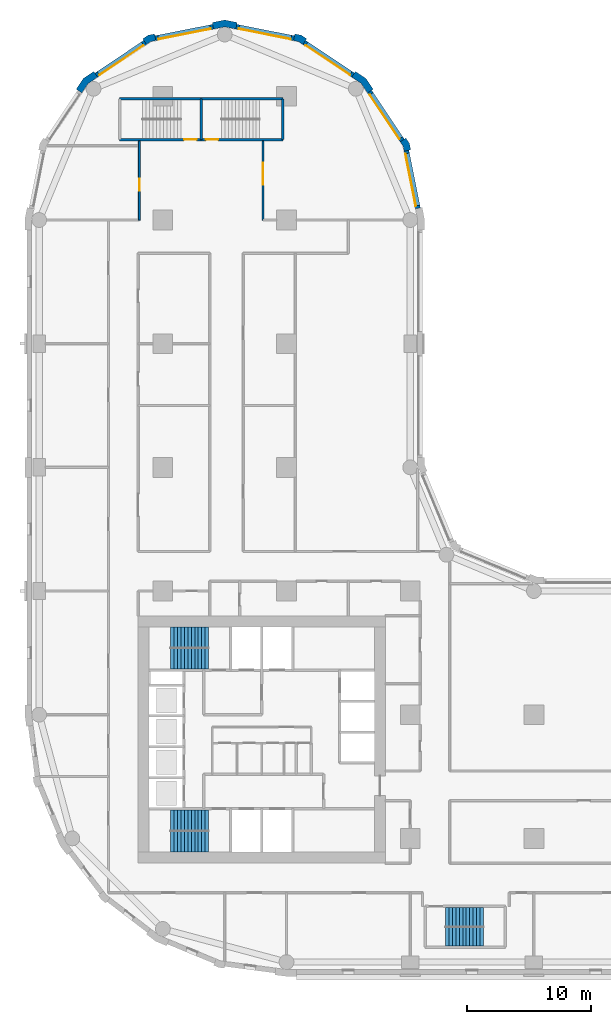
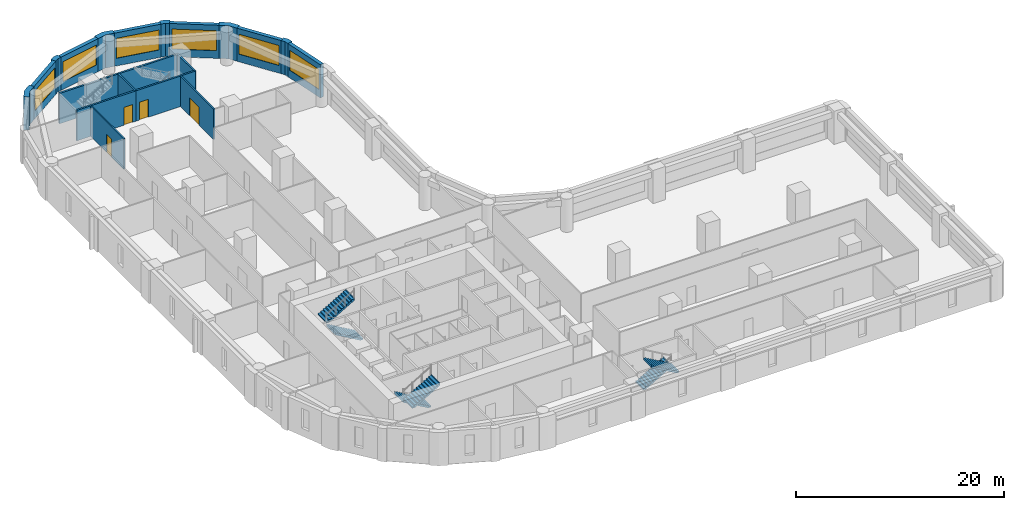
# One storey, part 7 of 10: 20 walls, 6 stair flights, 6 windows, 4 doors, 10 openings, 3 elements without a shape of their own.
"""IFC4 building model written with IfcOpenShell, lengths in metres."""

import ifcopenshell
import ifcopenshell.guid

model = None  # the IFC model being written
_history = None  # IfcOwnerHistory: only IFC2X3 demands one
_inside = {}  # id of a spatial element -> (the spatial element, [elements in it])
_under = {}  # id of a project, library or spatial element -> (it, [spatial elements below it])
_declared = {}  # id of a project -> (the project, [libraries it declares])
_typed = {}  # id of a type object -> (the type object, [elements of that type])
_made_of = {}  # id of a material, layer set ... -> (it, [elements and type objects made of it])


def new_model(schema):
    """Start an empty IFC model of exactly this schema.

    Asked for "IFC4X3", IfcOpenShell would pick the latest addendum, in which some entities
    have other attributes; the version numbers below select the first issue.
    IFC2X3 requires an IfcOwnerHistory on every rooted entity: one is made here for all.
    """
    global model, _history
    if schema == "IFC4X3":
        model = ifcopenshell.file(schema_version=(4, 3, 0, 0))
    else:
        model = ifcopenshell.file(schema=schema)
    _inside.clear()
    _under.clear()
    _declared.clear()
    _typed.clear()
    _made_of.clear()
    _history = None
    if model.schema == "IFC2X3":
        org = make("IfcOrganization", Name="unknown")
        user = make(
            "IfcPersonAndOrganization",
            ThePerson=make("IfcPerson", FamilyName="unknown"),
            TheOrganization=org,
        )
        app = make(
            "IfcApplication",
            ApplicationDeveloper=org,
            Version="unknown",
            ApplicationFullName="unknown",
            ApplicationIdentifier="unknown",
        )
        _history = make(
            "IfcOwnerHistory",
            OwningUser=user,
            OwningApplication=app,
            ChangeAction="ADDED",
            CreationDate=0,
        )
    return model


def make(cls, **values):
    """One entity of the class cls with the attributes given. An attribute that is None is left unset."""
    return model.create_entity(
        cls, **{name: value for name, value in values.items() if value is not None}
    )


def rooted(cls, **values):
    """An entity with a GlobalId (a new one), such as an element, a storey or a relation."""
    return make(cls, GlobalId=ifcopenshell.guid.new(), OwnerHistory=_history, **values)


def si_unit(unit_type, name, prefix=None):
    """IfcSIUnit, for example si_unit("LENGTHUNIT", "METRE", prefix="MILLI")."""
    return make("IfcSIUnit", UnitType=unit_type, Prefix=prefix, Name=name)


def assignment(units):
    """IfcUnitAssignment: the units of a project."""
    return None if units is None else make("IfcUnitAssignment", Units=units)


def point(xyz):
    """IfcCartesianPoint."""
    return None if xyz is None else make("IfcCartesianPoint", Coordinates=xyz)


def direction(xyz):
    """IfcDirection."""
    return None if xyz is None else make("IfcDirection", DirectionRatios=xyz)


def frame(location, z_axis=None, x_axis=None):
    """IfcAxis2Placement3D, a coordinate frame: its origin and axes. An axis left out is left unset."""
    return make(
        "IfcAxis2Placement3D",
        Location=point(location),
        Axis=direction(z_axis),
        RefDirection=direction(x_axis),
    )


def frame_2d(location, x_axis=None):
    """IfcAxis2Placement2D, a coordinate frame in the plane: its origin and x axis."""
    return make(
        "IfcAxis2Placement2D", Location=point(location), RefDirection=direction(x_axis)
    )


def origin():
    """The frame at (0, 0, 0) with its axes left unset."""
    return frame((0.0, 0.0, 0.0))


def place(relative_to, where):
    """IfcLocalPlacement: puts the frame where relative to a parent placement (None: the world)."""
    return make(
        "IfcLocalPlacement", PlacementRelTo=relative_to, RelativePlacement=where
    )


def context(
    kind, dimensions, precision=None, world=None, true_north=None, identifier=None
):
    """IfcGeometricRepresentationContext, for example the 3D "Model" context."""
    return make(
        "IfcGeometricRepresentationContext",
        ContextIdentifier=identifier,
        ContextType=kind,
        CoordinateSpaceDimension=dimensions,
        Precision=precision,
        WorldCoordinateSystem=world,
        TrueNorth=true_north,
    )


def subcontext(parent, identifier, kind, view, scale=None):
    """IfcGeometricRepresentationSubContext, for example "Body" below "Model"."""
    return make(
        "IfcGeometricRepresentationSubContext",
        ContextIdentifier=identifier,
        ContextType=kind,
        ParentContext=parent,
        TargetScale=scale,
        TargetView=view,
    )


def project(units=None, contexts=None):
    """IfcProject with its units and contexts."""
    return rooted(
        "IfcProject",
        Name="project",
        RepresentationContexts=contexts,
        UnitsInContext=assignment(units),
    )


def spatial(cls, under=None, at=None, **own):
    """A site, building, storey or space (cls), placed at a placement, below another one or the project."""
    s = rooted(cls, ObjectPlacement=at, **own)
    if under is not None:
        _under.setdefault(under.id(), (under, []))[1].append(s)
    return s


def polyline(points):
    """IfcPolyline through the points."""
    return make("IfcPolyline", Points=[point(p) for p in points])


def profile(cls, at=None, kind="AREA", **sizes):
    """A parametric profile (cls). Its sizes go by their IFC names, for example OverallWidth=200.0."""
    return make(cls, ProfileType=kind, Position=at, **sizes)


def rectangle(**sizes):
    """IfcRectangleProfileDef."""
    return profile("IfcRectangleProfileDef", **sizes)


def outline(outer, holes=None, kind="AREA"):
    """IfcArbitraryClosedProfileDef: a profile drawn as a closed curve; with holes, ...WithVoids."""
    if holes is None:
        return make("IfcArbitraryClosedProfileDef", ProfileType=kind, OuterCurve=outer)
    return make(
        "IfcArbitraryProfileDefWithVoids",
        ProfileType=kind,
        OuterCurve=outer,
        InnerCurves=holes,
    )


def extrude(swept, where, along, depth):
    """IfcExtrudedAreaSolid: the profile swept, set in the frame where, extruded along a direction by depth."""
    return make(
        "IfcExtrudedAreaSolid",
        SweptArea=swept,
        Position=where,
        ExtrudedDirection=direction(along),
        Depth=depth,
    )


def shape(context_of_items, identifier, shape_type, items):
    """IfcShapeRepresentation: the items that make up one representation, for example the "Body"."""
    return make(
        "IfcShapeRepresentation",
        ContextOfItems=context_of_items,
        RepresentationIdentifier=identifier,
        RepresentationType=shape_type,
        Items=items,
    )


def material(Name=None, Category=None):
    """IfcMaterial."""
    return make("IfcMaterial", Name=Name, Category=Category)


def layer(
    of_material, thickness, ventilated=None, Name=None, Category=None, Priority=None
):
    """IfcMaterialLayer: one layer of a wall or slab, of a material (None: an air gap)."""
    return make(
        "IfcMaterialLayer",
        Material=of_material,
        LayerThickness=thickness,
        IsVentilated=ventilated,
        Name=Name,
        Category=Category,
        Priority=Priority,
    )


def layer_set(layers, Name=None):
    """IfcMaterialLayerSet."""
    return make("IfcMaterialLayerSet", MaterialLayers=layers, LayerSetName=Name)


def made_of(thing, what):
    """Note that an element or type object is made of a material, layer set ...; save() writes the relation."""
    if what is not None:
        _made_of.setdefault(what.id(), (what, []))[1].append(thing)
    return thing


def type_object(cls, material=None, **own):
    """A type object (cls), such as IfcWallType, which elements share."""
    return made_of(rooted(cls, **own), material)


def element(
    cls,
    number,
    at=None,
    inside=None,
    cuts=None,
    type_object=None,
    material=None,
    context=None,
    identifier="Body",
    shape_type=None,
    held_by="IfcProductDefinitionShape",
    body=None,
    shapes=None,
    **own,
):
    """One element of the class cls, such as IfcWall. Its Tag is "e" and its number.

    at: its placement. inside: the storey or other place that contains it. cuts: it is an
    opening in that element (IfcRelVoidsElement). A single representation is given by context,
    identifier, shape_type and body (its items); several are given by shapes. held_by: the class
    of the entity that holds the representations. save() writes the other relations.
    """
    e = rooted(cls, Tag="e%d" % number, ObjectPlacement=at, **own)
    if body is not None:
        shapes = [shape(context, identifier, shape_type, body)]
    if shapes is not None:
        e.Representation = make(held_by, Representations=shapes)
    if inside is not None:
        _inside.setdefault(inside.id(), (inside, []))[1].append(e)
    if cuts is not None:
        rooted(
            "IfcRelVoidsElement", RelatingBuildingElement=cuts, RelatedOpeningElement=e
        )
    if type_object is not None:
        _typed.setdefault(type_object.id(), (type_object, []))[1].append(e)
    return made_of(e, material)


def fill(opening, filler):
    """IfcRelFillsElement: the door or window that sits in an opening."""
    return rooted(
        "IfcRelFillsElement",
        RelatingOpeningElement=opening,
        RelatedBuildingElement=filler,
    )


def aggregate(whole, parts):
    """IfcRelAggregates: a whole, such as a stair, and the parts it consists of."""
    return rooted("IfcRelAggregates", RelatingObject=whole, RelatedObjects=parts)


def save(model, path):
    """Write the relations noted so far, then the file.

    IfcRelAggregates (storeys below a building ...), IfcRelContainedInSpatialStructure (elements
    in a storey), IfcRelDefinesByType, IfcRelAssociatesMaterial and IfcRelDeclares: one each for
    every whole, place, type object, material and project.
    """
    for whole, parts in _under.values():
        aggregate(whole, parts)
    for where, things in _inside.values():
        rooted(
            "IfcRelContainedInSpatialStructure",
            RelatedElements=things,
            RelatingStructure=where,
        )
    for kind, things in _typed.values():
        rooted("IfcRelDefinesByType", RelatedObjects=things, RelatingType=kind)
    for what, things in _made_of.values():
        rooted("IfcRelAssociatesMaterial", RelatedObjects=things, RelatingMaterial=what)
    for by, libraries in _declared.values():
        rooted("IfcRelDeclares", RelatingContext=by, RelatedDefinitions=libraries)
    model.write(path)


model = new_model("IFC4")

# Units and contexts
model_context = context("Model", 3, precision=1e-05, world=origin(), true_north=direction((0.0, 1.0)))
body_context = subcontext(model_context, "Body", "Model", "MODEL_VIEW")
ifc_project = project(units=[si_unit("LENGTHUNIT", "METRE"), si_unit("AREAUNIT", "SQUARE_METRE"), si_unit("VOLUMEUNIT", "CUBIC_METRE"), si_unit("PLANEANGLEUNIT", "RADIAN"), si_unit("MASSUNIT", "GRAM", prefix="KILO")], contexts=[model_context])

# Site, building, storey
site_placement = place(None, origin())
site = spatial("IfcSite", under=ifc_project, at=site_placement, CompositionType="ELEMENT")
building_placement = place(site_placement, origin())
building = spatial("IfcBuilding", under=site, at=building_placement, Name="Qaws Garden Tower", CompositionType="ELEMENT")
storey_placement = place(building_placement, frame((0.0, 0.0, 101.699951171875)))
storey = spatial("IfcBuildingStorey", under=building, at=storey_placement, Name="L25", CompositionType="ELEMENT", Elevation=101.699951171875)

# Wall, opening, window
ifc_material_1 = material(Name="Clay facing brick masonry", Category="masonry")
ifc_layer_1 = layer(ifc_material_1, 0.39990234375)
ifc_layer_set_1 = layer_set([ifc_layer_1], Name="Clay facing brick masonry")
wall_type_1 = type_object("IfcWallType", Name="Brick infill wall 400", PredefinedType="SOLIDWALL", material=ifc_layer_set_1)
wall_1_placement = place(storey_placement, frame((30.628662109375, 60.940673828125, 0.0), z_axis=(0.0, 0.0, 1.0), x_axis=(-0.195098533057, 0.98078364709, 0.0)))
wall_1 = element("IfcWall", 1, at=wall_1_placement, inside=storey, type_object=wall_type_1, Name="E-L25-infill-15", PredefinedType="SOLIDWALL", context=body_context, shape_type="SweptSolid", body=[
    extrude(rectangle(XDim=4.752685546875, YDim=0.39990234375, at=frame_2d((2.37646484375, 0.0))), origin(), (0.0, 0.0, 1.0), 3.900146484375),
])
opening_1_placement = place(wall_1_placement, frame((0.226318359375, 0.0, 0.89990234375)))
opening_1 = element("IfcOpeningElement", 2, at=opening_1_placement, cuts=wall_1, Name="Opening W06", PredefinedType="OPENING", context=body_context, shape_type="SweptSolid", body=[
    extrude(rectangle(XDim=4.300048828125, YDim=2.35009765625, at=frame_2d((2.14990234375, 1.175048828125))), frame((0.0, 0.2099609375, 0.0), z_axis=(0.0, -1.0, 0.0), x_axis=(1.0, 0.0, 0.0)), (0.0, 0.0, 1.0), 0.419921875),
])
ifc_material_2 = material(Name="Aluminium framed window, clear glazing", Category="aluminium")
window_type = type_object("IfcWindowType", Name="Ribbon window 4300 x 2350", PartitioningType="DOUBLE_PANEL_VERTICAL", PredefinedType="WINDOW", material=ifc_material_2)
window_1_placement = place(opening_1_placement, origin())
window_1 = element("IfcWindow", 3, at=window_1_placement, inside=storey, type_object=window_type, Name="E-L25-window-15-0", OverallHeight=2.35009765625, OverallWidth=4.300048828125, PartitioningType="SINGLE_PANEL", PredefinedType="WINDOW", context=body_context, shape_type="SweptSolid", body=[
    extrude(rectangle(XDim=4.300048828125, YDim=2.35009765625, at=frame_2d((2.14990234375, 1.175048828125))), frame((0.0, 0.159912109375, 0.0), z_axis=(0.0, -1.0, 0.0), x_axis=(1.0, 0.0, 0.0)), (0.0, 0.0, 1.0), 0.06005859375),
])
fill(opening_1, window_1)

wall_2_placement = place(storey_placement, frame((29.356689453125, 66.43408203125, 0.0), z_axis=(0.0, 0.0, 1.0), x_axis=(-0.555541552266, 0.831488775454, 0.0)))
wall_2 = element("IfcWall", 4, at=wall_2_placement, inside=storey, type_object=wall_type_1, Name="E-L25-infill-16", PredefinedType="SOLIDWALL", context=body_context, shape_type="SweptSolid", body=[
    extrude(rectangle(XDim=4.752685546875, YDim=0.39990234375, at=frame_2d((2.37646484375, 0.0))), origin(), (0.0, 0.0, 1.0), 3.900146484375),
])
opening_2_placement = place(wall_2_placement, frame((0.226318359375, 0.0, 0.89990234375)))
opening_2 = element("IfcOpeningElement", 5, at=opening_2_placement, cuts=wall_2, Name="Opening W06", PredefinedType="OPENING", context=body_context, shape_type="SweptSolid", body=[
    extrude(rectangle(XDim=4.300048828125, YDim=2.35009765625, at=frame_2d((2.14990234375, 1.175048828125))), frame((0.0, 0.2099609375, 0.0), z_axis=(0.0, -1.0, 0.0), x_axis=(1.0, 0.0, 0.0)), (0.0, 0.0, 1.0), 0.419921875),
])
window_2_placement = place(opening_2_placement, origin())
window_2 = element("IfcWindow", 6, at=window_2_placement, inside=storey, type_object=window_type, Name="E-L25-window-16-0", OverallHeight=2.35009765625, OverallWidth=4.300048828125, PartitioningType="SINGLE_PANEL", PredefinedType="WINDOW", context=body_context, shape_type="SweptSolid", body=[
    extrude(rectangle(XDim=4.300048828125, YDim=2.35009765625, at=frame_2d((2.14990234375, 1.175048828125))), frame((0.0, 0.159912109375, 0.0), z_axis=(0.0, -1.0, 0.0), x_axis=(1.0, 0.0, 0.0)), (0.0, 0.0, 1.0), 0.06005859375),
])
fill(opening_2, window_2)

wall_3_placement = place(storey_placement, frame((25.385986328125, 71.71630859375, 0.0), z_axis=(0.0, 0.0, 1.0), x_axis=(-0.831488775454, 0.555541552266, 0.0)))
wall_3 = element("IfcWall", 7, at=wall_3_placement, inside=storey, type_object=wall_type_1, Name="E-L25-infill-17", PredefinedType="SOLIDWALL", context=body_context, shape_type="SweptSolid", body=[
    extrude(rectangle(XDim=4.752685546875, YDim=0.39990234375, at=frame_2d((2.37646484375, 0.0))), origin(), (0.0, 0.0, 1.0), 3.900146484375),
])
opening_3_placement = place(wall_3_placement, frame((0.226318359375, 0.0, 0.89990234375)))
opening_3 = element("IfcOpeningElement", 8, at=opening_3_placement, cuts=wall_3, Name="Opening W06", PredefinedType="OPENING", context=body_context, shape_type="SweptSolid", body=[
    extrude(rectangle(XDim=4.300048828125, YDim=2.35009765625, at=frame_2d((2.14990234375, 1.175048828125))), frame((0.0, 0.2099609375, 0.0), z_axis=(0.0, -1.0, 0.0), x_axis=(1.0, 0.0, 0.0)), (0.0, 0.0, 1.0), 0.419921875),
])
window_3_placement = place(opening_3_placement, origin())
window_3 = element("IfcWindow", 9, at=window_3_placement, inside=storey, type_object=window_type, Name="E-L25-window-17-0", OverallHeight=2.35009765625, OverallWidth=4.300048828125, PartitioningType="SINGLE_PANEL", PredefinedType="WINDOW", context=body_context, shape_type="SweptSolid", body=[
    extrude(rectangle(XDim=4.300048828125, YDim=2.35009765625, at=frame_2d((2.14990234375, 1.175048828125))), frame((0.0, 0.159912109375, 0.0), z_axis=(0.0, -1.0, 0.0), x_axis=(1.0, 0.0, 0.0)), (0.0, 0.0, 1.0), 0.06005859375),
])
fill(opening_3, window_3)

wall_4_placement = place(storey_placement, frame((20.60205078125, 74.701416015625, 0.0), z_axis=(0.0, 0.0, 1.0), x_axis=(-0.98078364709, 0.195098533057, 0.0)))
wall_4 = element("IfcWall", 10, at=wall_4_placement, inside=storey, type_object=wall_type_1, Name="E-L25-infill-18", PredefinedType="SOLIDWALL", context=body_context, shape_type="SweptSolid", body=[
    extrude(rectangle(XDim=4.752685546875, YDim=0.39990234375, at=frame_2d((2.37646484375, 0.0))), origin(), (0.0, 0.0, 1.0), 3.900146484375),
])
opening_4_placement = place(wall_4_placement, frame((0.226318359375, 0.0, 0.89990234375)))
opening_4 = element("IfcOpeningElement", 11, at=opening_4_placement, cuts=wall_4, Name="Opening W06", PredefinedType="OPENING", context=body_context, shape_type="SweptSolid", body=[
    extrude(rectangle(XDim=4.300048828125, YDim=2.35009765625, at=frame_2d((2.14990234375, 1.175048828125))), frame((0.0, 0.2099609375, 0.0), z_axis=(0.0, -1.0, 0.0), x_axis=(1.0, 0.0, 0.0)), (0.0, 0.0, 1.0), 0.419921875),
])
window_4_placement = place(opening_4_placement, origin())
window_4 = element("IfcWindow", 12, at=window_4_placement, inside=storey, type_object=window_type, Name="E-L25-window-18-0", OverallHeight=2.35009765625, OverallWidth=4.300048828125, PartitioningType="SINGLE_PANEL", PredefinedType="WINDOW", context=body_context, shape_type="SweptSolid", body=[
    extrude(rectangle(XDim=4.300048828125, YDim=2.35009765625, at=frame_2d((2.14990234375, 1.175048828125))), frame((0.0, 0.159912109375, 0.0), z_axis=(0.0, -1.0, 0.0), x_axis=(1.0, 0.0, 0.0)), (0.0, 0.0, 1.0), 0.06005859375),
])
fill(opening_4, window_4)

wall_5_placement = place(storey_placement, frame((14.059326171875, 75.628662109375, 0.0), z_axis=(0.0, 0.0, 1.0), x_axis=(-0.98078364709, -0.195098533057, 0.0)))
wall_5 = element("IfcWall", 13, at=wall_5_placement, inside=storey, type_object=wall_type_1, Name="E-L25-infill-19", PredefinedType="SOLIDWALL", context=body_context, shape_type="SweptSolid", body=[
    extrude(rectangle(XDim=4.752685546875, YDim=0.39990234375, at=frame_2d((2.37646484375, 0.0))), origin(), (0.0, 0.0, 1.0), 3.900146484375),
])
opening_5_placement = place(wall_5_placement, frame((0.226318359375, 0.0, 0.89990234375)))
opening_5 = element("IfcOpeningElement", 14, at=opening_5_placement, cuts=wall_5, Name="Opening W06", PredefinedType="OPENING", context=body_context, shape_type="SweptSolid", body=[
    extrude(rectangle(XDim=4.300048828125, YDim=2.35009765625, at=frame_2d((2.14990234375, 1.175048828125))), frame((0.0, 0.2099609375, 0.0), z_axis=(0.0, -1.0, 0.0), x_axis=(1.0, 0.0, 0.0)), (0.0, 0.0, 1.0), 0.419921875),
])
window_5_placement = place(opening_5_placement, origin())
window_5 = element("IfcWindow", 15, at=window_5_placement, inside=storey, type_object=window_type, Name="E-L25-window-19-0", OverallHeight=2.35009765625, OverallWidth=4.300048828125, PartitioningType="SINGLE_PANEL", PredefinedType="WINDOW", context=body_context, shape_type="SweptSolid", body=[
    extrude(rectangle(XDim=4.300048828125, YDim=2.35009765625, at=frame_2d((2.14990234375, 1.175048828125))), frame((0.0, 0.159912109375, 0.0), z_axis=(0.0, -1.0, 0.0), x_axis=(1.0, 0.0, 0.0)), (0.0, 0.0, 1.0), 0.06005859375),
])
fill(opening_5, window_5)

wall_6_placement = place(storey_placement, frame((8.56591796875, 74.356689453125, 0.0), z_axis=(0.0, 0.0, 1.0), x_axis=(-0.831488775454, -0.555541552266, 0.0)))
wall_6 = element("IfcWall", 16, at=wall_6_placement, inside=storey, type_object=wall_type_1, Name="E-L25-infill-20", PredefinedType="SOLIDWALL", context=body_context, shape_type="SweptSolid", body=[
    extrude(rectangle(XDim=4.752685546875, YDim=0.39990234375, at=frame_2d((2.37646484375, 0.0))), origin(), (0.0, 0.0, 1.0), 3.900146484375),
])
opening_6_placement = place(wall_6_placement, frame((0.226318359375, 0.0, 0.89990234375)))
opening_6 = element("IfcOpeningElement", 17, at=opening_6_placement, cuts=wall_6, Name="Opening W06", PredefinedType="OPENING", context=body_context, shape_type="SweptSolid", body=[
    extrude(rectangle(XDim=4.300048828125, YDim=2.35009765625, at=frame_2d((2.14990234375, 1.175048828125))), frame((0.0, 0.2099609375, 0.0), z_axis=(0.0, -1.0, 0.0), x_axis=(1.0, 0.0, 0.0)), (0.0, 0.0, 1.0), 0.419921875),
])
window_6_placement = place(opening_6_placement, origin())
window_6 = element("IfcWindow", 18, at=window_6_placement, inside=storey, type_object=window_type, Name="E-L25-window-20-0", OverallHeight=2.35009765625, OverallWidth=4.300048828125, PartitioningType="SINGLE_PANEL", PredefinedType="WINDOW", context=body_context, shape_type="SweptSolid", body=[
    extrude(rectangle(XDim=4.300048828125, YDim=2.35009765625, at=frame_2d((2.14990234375, 1.175048828125))), frame((0.0, 0.159912109375, 0.0), z_axis=(0.0, -1.0, 0.0), x_axis=(1.0, 0.0, 0.0)), (0.0, 0.0, 1.0), 0.06005859375),
])
fill(opening_6, window_6)

# Walls
ifc_material_3 = material(Name="Clay facing brick masonry", Category="masonry")
ifc_layer_2 = layer(ifc_material_3, 0.550048828125)
ifc_layer_set_2 = layer_set([ifc_layer_2], Name="Clay facing brick masonry")
wall_type_2 = type_object("IfcWallType", Name="Brick kink pier 550 x 600", PredefinedType="SOLIDWALL", material=ifc_layer_set_2)
placement = place(storey_placement, origin())
element("IfcWall", 19, at=placement, inside=storey, type_object=wall_type_2, Name="E-L25-pier-16", PredefinedType="SOLIDWALL", context=body_context, shape_type="SweptSolid", body=[
    extrude(outline(polyline([(29.8974609375, 65.64111328125), (30.044677734375, 65.67041015625), (29.94140625, 66.18896484375), (29.647705078125, 66.628662109375), (29.52294921875, 66.545166015625), (29.1904296875, 66.322998046875), (29.42333984375, 65.974365234375), (29.505126953125, 65.56298828125), (29.8974609375, 65.64111328125)])), origin(), (0.0, 0.0, 1.0), 3.900146484375),
])
element("IfcWall", 20, at=placement, inside=storey, type_object=wall_type_2, Name="E-L25-pier-18", PredefinedType="SOLIDWALL", context=body_context, shape_type="SweptSolid", body=[
    extrude(outline(polyline([(21.545166015625, 74.52294921875), (21.628662109375, 74.647705078125), (21.18896484375, 74.94140625), (20.67041015625, 75.044677734375), (20.64111328125, 74.8974609375), (20.56298828125, 74.505126953125), (20.974365234375, 74.42333984375), (21.322998046875, 74.1904296875), (21.545166015625, 74.52294921875)])), origin(), (0.0, 0.0, 1.0), 3.900146484375),
])
element("IfcWall", 21, at=placement, inside=storey, type_object=wall_type_2, Name="E-L25-pier-20", PredefinedType="SOLIDWALL", context=body_context, shape_type="SweptSolid", body=[
    extrude(outline(polyline([(9.35888671875, 74.8974609375), (9.32958984375, 75.044677734375), (8.81103515625, 74.94140625), (8.371337890625, 74.647705078125), (8.454833984375, 74.52294921875), (8.677001953125, 74.1904296875), (9.025634765625, 74.42333984375), (9.43701171875, 74.505126953125), (9.35888671875, 74.8974609375)])), origin(), (0.0, 0.0, 1.0), 3.900146484375),
])
ifc_material_4 = material(Name="Clay facing brick masonry", Category="masonry")
ifc_layer_3 = layer(ifc_material_4, 0.550048828125)
ifc_layer_set_3 = layer_set([ifc_layer_3], Name="Clay facing brick masonry")
wall_type_3 = type_object("IfcWallType", Name="Brick pier 550 x 1600", PredefinedType="SOLIDWALL", material=ifc_layer_set_3)
element("IfcWall", 22, at=placement, inside=storey, type_object=wall_type_3, Name="E-L25-pier-17", PredefinedType="SOLIDWALL", context=body_context, shape_type="SweptSolid", body=[
    extrude(outline(polyline([(26.882568359375, 70.4970703125), (27.00732421875, 70.580322265625), (26.435791015625, 71.435791015625), (25.580322265625, 72.00732421875), (25.4970703125, 71.882568359375), (25.274658203125, 71.550048828125), (26.0390625, 71.0390625), (26.550048828125, 70.274658203125), (26.882568359375, 70.4970703125)])), origin(), (0.0, 0.0, 1.0), 3.900146484375),
])
element("IfcWall", 23, at=placement, inside=storey, type_object=wall_type_3, Name="E-L25-pier-19", PredefinedType="SOLIDWALL", context=body_context, shape_type="SweptSolid", body=[
    extrude(outline(polyline([(15.979736328125, 75.82470703125), (16.009033203125, 75.971923828125), (15.0, 76.172607421875), (13.990966796875, 75.971923828125), (14.020263671875, 75.82470703125), (14.098388671875, 75.432373046875), (15.0, 75.61181640625), (15.901611328125, 75.432373046875), (15.979736328125, 75.82470703125)])), origin(), (0.0, 0.0, 1.0), 3.900146484375),
])
element("IfcWall", 24, at=placement, inside=storey, type_object=wall_type_3, Name="E-L25-pier-21", PredefinedType="SOLIDWALL", context=body_context, shape_type="SweptSolid", body=[
    extrude(outline(polyline([(4.5029296875, 71.882568359375), (4.419677734375, 72.00732421875), (3.564208984375, 71.435791015625), (2.99267578125, 70.580322265625), (3.117431640625, 70.4970703125), (3.449951171875, 70.274658203125), (3.9609375, 71.0390625), (4.725341796875, 71.550048828125), (4.5029296875, 71.882568359375)])), origin(), (0.0, 0.0, 1.0), 3.900146484375),
])

# Wall, opening, door
ifc_material_5 = material(Name="Concrete C80", Category="concrete")
ifc_layer_4 = layer(ifc_material_5, 0.199951171875)
ifc_layer_set_4 = layer_set([ifc_layer_4], Name="Concrete C80")
wall_type_4 = type_object("IfcWallType", Name="Core shaft wall 200 C80", PredefinedType="SHEAR", material=ifc_layer_set_4)
wall_13_placement = place(storey_placement, frame((6.5, 66.5, 0.0), z_axis=(0.0, 0.0, 1.0), x_axis=(1.0, 0.0, 0.0)))
wall_13 = element("IfcWall", 25, at=wall_13_placement, inside=storey, type_object=wall_type_4, Name="Shaft wall", PredefinedType="SHEAR", context=body_context, shape_type="SweptSolid", body=[
    extrude(rectangle(XDim=6.60009765625, YDim=0.199951171875, at=frame_2d((3.300048828125, 0.0))), origin(), (0.0, 0.0, 1.0), 3.580078125),
])
opening_7_placement = place(wall_13_placement, frame((5.22509765625, 0.0, 0.0)))
opening_7 = element("IfcOpeningElement", 26, at=opening_7_placement, cuts=wall_13, Name="Opening SD13", PredefinedType="OPENING", context=body_context, shape_type="SweptSolid", body=[
    extrude(rectangle(XDim=1.0, YDim=2.10009765625, at=frame_2d((0.5, 1.050048828125))), frame((0.0, 0.10986328125, 0.0), z_axis=(0.0, -1.0, 0.0), x_axis=(1.0, 0.0, 0.0)), (0.0, 0.0, 1.0), 0.219970703125),
])
ifc_material_6 = material(Name="Steel S235", Category="steel")
door_type_1 = type_object("IfcDoorType", Name="Stair door 1000x2100", OperationType="SINGLE_SWING_RIGHT", PredefinedType="DOOR", material=ifc_material_6)
door_1_placement = place(opening_7_placement, origin())
door_1 = element("IfcDoor", 27, at=door_1_placement, inside=storey, type_object=door_type_1, Name="Stair 6 door", OperationType="SINGLE_SWING_RIGHT", OverallHeight=2.10009765625, OverallWidth=1.0, PredefinedType="DOOR", context=body_context, shape_type="SweptSolid", body=[
    extrude(rectangle(XDim=1.0, YDim=2.10009765625, at=frame_2d((0.5, 1.050048828125))), frame((0.0, 0.02490234375, 0.0), z_axis=(0.0, -1.0, 0.0), x_axis=(1.0, 0.0, 0.0)), (0.0, 0.0, 1.0), 0.050048828125),
])
fill(opening_7, door_1)

wall_14_placement = place(storey_placement, frame((13.10009765625, 66.5, 0.0), z_axis=(0.0, 0.0, 1.0), x_axis=(1.0, 0.0, 0.0)))
wall_14 = element("IfcWall", 28, at=wall_14_placement, inside=storey, type_object=wall_type_4, Name="Shaft wall", PredefinedType="SHEAR", context=body_context, shape_type="SweptSolid", body=[
    extrude(rectangle(XDim=6.599853515625, YDim=0.199951171875, at=frame_2d((3.2998046875, 0.0))), origin(), (0.0, 0.0, 1.0), 3.580078125),
])
opening_8_placement = place(wall_14_placement, frame((0.375, 0.0, 0.0)))
opening_8 = element("IfcOpeningElement", 29, at=opening_8_placement, cuts=wall_14, Name="Opening SD14", PredefinedType="OPENING", context=body_context, shape_type="SweptSolid", body=[
    extrude(rectangle(XDim=1.0, YDim=2.10009765625, at=frame_2d((0.5, 1.050048828125))), frame((0.0, 0.10986328125, 0.0), z_axis=(0.0, -1.0, 0.0), x_axis=(1.0, 0.0, 0.0)), (0.0, 0.0, 1.0), 0.219970703125),
])
door_2_placement = place(opening_8_placement, origin())
door_2 = element("IfcDoor", 30, at=door_2_placement, inside=storey, type_object=door_type_1, Name="Stair 7 door", OperationType="SINGLE_SWING_LEFT", OverallHeight=2.10009765625, OverallWidth=1.0, PredefinedType="DOOR", context=body_context, shape_type="SweptSolid", body=[
    extrude(rectangle(XDim=1.0, YDim=2.10009765625, at=frame_2d((0.5, 1.050048828125))), frame((0.0, 0.02490234375, 0.0), z_axis=(0.0, -1.0, 0.0), x_axis=(1.0, 0.0, 0.0)), (0.0, 0.0, 1.0), 0.050048828125),
])
fill(opening_8, door_2)

# Walls
wall_15_placement = place(storey_placement, frame((6.5, 69.800048828125, 0.0), z_axis=(0.0, 0.0, 1.0), x_axis=(1.0, 0.0, 0.0)))
element("IfcWall", 31, at=wall_15_placement, inside=storey, type_object=wall_type_4, Name="Shaft wall", PredefinedType="SHEAR", context=body_context, shape_type="SweptSolid", body=[
    extrude(rectangle(XDim=6.60009765625, YDim=0.199951171875, at=frame_2d((3.300048828125, 0.0))), origin(), (0.0, 0.0, 1.0), 3.580078125),
])
wall_16_placement = place(storey_placement, frame((13.10009765625, 69.800048828125, 0.0), z_axis=(0.0, 0.0, 1.0), x_axis=(1.0, 0.0, 0.0)))
element("IfcWall", 32, at=wall_16_placement, inside=storey, type_object=wall_type_4, Name="Shaft wall", PredefinedType="SHEAR", context=body_context, shape_type="SweptSolid", body=[
    extrude(rectangle(XDim=6.599853515625, YDim=0.199951171875, at=frame_2d((3.2998046875, 0.0))), origin(), (0.0, 0.0, 1.0), 3.580078125),
])
for number, where, z_axis, x_axis, name in (
    (33, (13.10009765625, 66.5, 0.0), (0.0, 0.0, 1.0), (0.0, 1.0, 0.0), "Shaft wall"),
    (34, (19.699951171875, 66.5, 0.0), (0.0, 0.0, 1.0), (0.0, 1.0, 0.0), "Shaft wall"),
):
    element("IfcWall", number, at=place(storey_placement, frame(where, z_axis=z_axis, x_axis=x_axis)), inside=storey, type_object=wall_type_4, Name=name, PredefinedType="SHEAR", context=body_context, shape_type="SweptSolid", body=[
        extrude(rectangle(XDim=3.300048828125, YDim=0.199951171875, at=frame_2d((1.64990234375, 0.0))), origin(), (0.0, 0.0, 1.0), 3.580078125),
    ])

# Wall, opening, door
ifc_material_7 = material(Name="Gypsum board partition")
ifc_layer_5 = layer(ifc_material_7, 0.14990234375)
ifc_layer_set_5 = layer_set([ifc_layer_5], Name="Gypsum board partition")
wall_type_5 = type_object("IfcWallType", Name="PARTITION 150 EI 60", PredefinedType="PARTITIONING", material=ifc_layer_set_5)
wall_17_placement = place(storey_placement, frame((8.10009765625, 60.0, 0.0), z_axis=(0.0, 0.0, 1.0), x_axis=(0.0, 1.0, 0.0)))
wall_17 = element("IfcWall", 35, at=wall_17_placement, inside=storey, type_object=wall_type_5, Name="O-L25-wall-004", PredefinedType="PARTITIONING", context=body_context, shape_type="SweptSolid", body=[
    extrude(rectangle(XDim=6.39990234375, YDim=0.14990234375, at=frame_2d((3.199951171875, 0.0))), origin(), (0.0, 0.0, 1.0), 3.580078125),
])
opening_9_placement = place(wall_17_placement, frame((2.35009765625, 0.0, 0.0)))
opening_9 = element("IfcOpeningElement", 36, at=opening_9_placement, cuts=wall_17, Name="Opening A820", PredefinedType="OPENING", context=body_context, shape_type="SweptSolid", body=[
    extrude(rectangle(XDim=1.0, YDim=2.10009765625, at=frame_2d((0.5, 1.050048828125))), frame((0.0, 0.0849609375, 0.0), z_axis=(0.0, -1.0, 0.0), x_axis=(1.0, 0.0, 0.0)), (0.0, 0.0, 1.0), 0.169921875),
])
ifc_material_8 = material(Name="Timber door leaf", Category="wood")
door_type_2 = type_object("IfcDoorType", Name="TENANCY ENTRANCE DOOR 1000 X 2100", OperationType="SINGLE_SWING_LEFT", PredefinedType="DOOR", material=ifc_material_8)
door_3_placement = place(opening_9_placement, origin())
door_3 = element("IfcDoor", 37, at=door_3_placement, inside=storey, type_object=door_type_2, Name="O-L25-door-020", OperationType="SINGLE_SWING_LEFT", OverallHeight=2.10009765625, OverallWidth=1.0, PredefinedType="DOOR", context=body_context, shape_type="SweptSolid", body=[
    extrude(rectangle(XDim=1.0, YDim=2.10009765625, at=frame_2d((0.5, 1.050048828125))), frame((0.0, 0.02490234375, 0.0), z_axis=(0.0, -1.0, 0.0), x_axis=(1.0, 0.0, 0.0)), (0.0, 0.0, 1.0), 0.050048828125),
])
fill(opening_9, door_3)

wall_18_placement = place(storey_placement, frame((18.10009765625, 60.0, 0.0), z_axis=(0.0, 0.0, 1.0), x_axis=(0.0, 1.0, 0.0)))
wall_18 = element("IfcWall", 38, at=wall_18_placement, inside=storey, type_object=wall_type_5, Name="O-L25-wall-009", PredefinedType="PARTITIONING", context=body_context, shape_type="SweptSolid", body=[
    extrude(rectangle(XDim=6.39990234375, YDim=0.14990234375, at=frame_2d((3.199951171875, 0.0))), origin(), (0.0, 0.0, 1.0), 3.580078125),
])
opening_10_placement = place(wall_18_placement, frame((2.85009765625, 0.0, 0.0)))
opening_10 = element("IfcOpeningElement", 39, at=opening_10_placement, cuts=wall_18, Name="Opening A821", PredefinedType="OPENING", context=body_context, shape_type="SweptSolid", body=[
    extrude(rectangle(XDim=1.800048828125, YDim=2.10009765625, at=frame_2d((0.89990234375, 1.050048828125))), frame((0.0, 0.0849609375, 0.0), z_axis=(0.0, -1.0, 0.0), x_axis=(1.0, 0.0, 0.0)), (0.0, 0.0, 1.0), 0.169921875),
])
ifc_material_9 = material(Name="Timber door leaf", Category="wood")
door_type_3 = type_object("IfcDoorType", Name="DOUBLE DOOR 1800 X 2100", OperationType="DOUBLE_DOOR_SINGLE_SWING", PredefinedType="DOOR", material=ifc_material_9)
door_4_placement = place(opening_10_placement, frame((1.800048828125, 0.0, 0.0), z_axis=(0.0, 0.0, 1.0), x_axis=(-1.0, 0.0, 0.0)))
door_4 = element("IfcDoor", 40, at=door_4_placement, inside=storey, type_object=door_type_3, Name="O-L25-door-021", OperationType="DOUBLE_DOOR_SINGLE_SWING", OverallHeight=2.10009765625, OverallWidth=1.800048828125, PredefinedType="DOOR", context=body_context, shape_type="SweptSolid", body=[
    extrude(rectangle(XDim=1.800048828125, YDim=2.10009765625, at=frame_2d((0.89990234375, 1.050048828125))), frame((0.0, 0.02490234375, 0.0), z_axis=(0.0, -1.0, 0.0), x_axis=(1.0, 0.0, 0.0)), (0.0, 0.0, 1.0), 0.050048828125),
])
fill(opening_10, door_4)

# Stair, stair flights
ifc_material_10 = material(Name="Concrete C40", Category="concrete")
stair_type_1 = type_object("IfcStairType", Name="Exit stair 1350", PredefinedType="HALF_TURN_STAIR", material=ifc_material_10)
stair_1 = element("IfcStair", 41, at=placement, inside=storey, type_object=stair_type_1, Name="Stair 5", PredefinedType="HALF_TURN_STAIR")
ifc_material_11 = material(Name="Concrete C40", Category="concrete")
stair_flight_type_1 = type_object("IfcStairFlightType", Name="Stair flight 1350", PredefinedType="STRAIGHT", material=ifc_material_11)
stair_flight_1_placement = place(storey_placement, frame((32.85009765625, 3.625, 0.0), z_axis=(0.0, 0.0, 1.0), x_axis=(1.0, 0.0, 0.0)))
stair_flight_1 = element("IfcStairFlight", 42, at=stair_flight_1_placement, type_object=stair_flight_type_1, Name="ST5 flight 1", NumberOfRisers=12, NumberOfTreads=11, PredefinedType="STRAIGHT", RiserHeight=0.1625, TreadLength=0.28, context=body_context, shape_type="SweptSolid", body=[
    extrude(outline(polyline([(-0.0029296875, 0.0), (-0.0029296875, 0.16259765625), (0.0, 0.16259765625), (0.280029296875, 0.16259765625), (0.280029296875, 0.324951171875), (0.56005859375, 0.324951171875), (0.56005859375, 0.487548828125), (0.840087890625, 0.487548828125), (0.840087890625, 0.64990234375), (1.1201171875, 0.64990234375), (1.1201171875, 0.8125), (1.39990234375, 0.8125), (1.39990234375, 0.97509765625), (1.679931640625, 0.97509765625), (1.679931640625, 1.137451171875), (1.9599609375, 1.137451171875), (1.9599609375, 1.300048828125), (2.239990234375, 1.300048828125), (2.239990234375, 1.46240234375), (2.52001953125, 1.46240234375), (2.52001953125, 1.625), (2.800048828125, 1.625), (2.800048828125, 1.78759765625), (3.080078125, 1.78759765625), (3.080078125, 1.949951171875), (3.0830078125, 1.949951171875), (3.0830078125, 1.6142578125), (3.080078125, 1.6142578125), (0.298583984375, 0.0), (-0.0029296875, 0.0)])), frame((0.0, 0.77490234375, 0.0), z_axis=(0.0, -1.0, 0.0), x_axis=(1.0, 0.0, 0.0)), (0.0, 0.0, 1.0), 1.550048828125),
])
stair_flight_2_placement = place(storey_placement, frame((35.929931640625, 2.074951171875, 1.949951171875), z_axis=(0.0, 0.0, 1.0), x_axis=(-1.0, 0.0, 0.0)))
stair_flight_2 = element("IfcStairFlight", 43, at=stair_flight_2_placement, type_object=stair_flight_type_1, Name="ST5 flight 2", NumberOfRisers=12, NumberOfTreads=11, PredefinedType="STRAIGHT", RiserHeight=0.1625, TreadLength=0.28, context=body_context, shape_type="SweptSolid", body=[
    extrude(outline(polyline([(-0.0029296875, 0.0), (-0.0029296875, 0.16259765625), (0.0, 0.16259765625), (0.280029296875, 0.16259765625), (0.280029296875, 0.324951171875), (0.56005859375, 0.324951171875), (0.56005859375, 0.487548828125), (0.840087890625, 0.487548828125), (0.840087890625, 0.64990234375), (1.1201171875, 0.64990234375), (1.1201171875, 0.8125), (1.39990234375, 0.8125), (1.39990234375, 0.97509765625), (1.679931640625, 0.97509765625), (1.679931640625, 1.137451171875), (1.9599609375, 1.137451171875), (1.9599609375, 1.300048828125), (2.239990234375, 1.300048828125), (2.239990234375, 1.46240234375), (2.52001953125, 1.46240234375), (2.52001953125, 1.625), (2.800048828125, 1.625), (2.800048828125, 1.78759765625), (3.080078125, 1.78759765625), (3.080078125, 1.949951171875), (3.0830078125, 1.949951171875), (3.0830078125, 1.6142578125), (3.080078125, 1.6142578125), (0.298583984375, 0.0), (-0.0029296875, 0.0)])), frame((0.0, 0.77490234375, 0.0), z_axis=(0.0, -1.0, 0.0), x_axis=(1.0, 0.0, 0.0)), (0.0, 0.0, 1.0), 1.550048828125),
])
aggregate(stair_1, [stair_flight_1, stair_flight_2])

ifc_material_12 = material(Name="Concrete C40", Category="concrete")
stair_type_2 = type_object("IfcStairType", Name="Exit stair 1500", PredefinedType="HALF_TURN_STAIR", material=ifc_material_12)
stair_2 = element("IfcStair", 44, at=placement, inside=storey, type_object=stair_type_2, Name="Stair 1", PredefinedType="HALF_TURN_STAIR")
ifc_material_13 = material(Name="Concrete C40", Category="concrete")
stair_flight_type_2 = type_object("IfcStairFlightType", Name="Stair flight 1500", PredefinedType="STRAIGHT", material=ifc_material_13)
stair_flight_3_placement = place(storey_placement, frame((13.699951171875, 11.449951171875, 0.0), z_axis=(0.0, 0.0, 1.0), x_axis=(-1.0, 0.0, 0.0)))
stair_flight_3 = element("IfcStairFlight", 45, at=stair_flight_3_placement, type_object=stair_flight_type_2, Name="ST1 flight 1", NumberOfRisers=12, NumberOfTreads=11, PredefinedType="STRAIGHT", RiserHeight=0.1625, TreadLength=0.28, context=body_context, shape_type="SweptSolid", body=[
    extrude(outline(polyline([(-0.0029296875, 0.0), (-0.0029296875, 0.16259765625), (0.0, 0.16259765625), (0.280029296875, 0.16259765625), (0.280029296875, 0.324951171875), (0.56005859375, 0.324951171875), (0.56005859375, 0.487548828125), (0.840087890625, 0.487548828125), (0.840087890625, 0.64990234375), (1.1201171875, 0.64990234375), (1.1201171875, 0.8125), (1.39990234375, 0.8125), (1.39990234375, 0.97509765625), (1.679931640625, 0.97509765625), (1.679931640625, 1.137451171875), (1.9599609375, 1.137451171875), (1.9599609375, 1.300048828125), (2.239990234375, 1.300048828125), (2.239990234375, 1.46240234375), (2.52001953125, 1.46240234375), (2.52001953125, 1.625), (2.800048828125, 1.625), (2.800048828125, 1.78759765625), (3.080078125, 1.78759765625), (3.080078125, 1.949951171875), (3.0830078125, 1.949951171875), (3.0830078125, 1.6142578125), (3.080078125, 1.6142578125), (0.298583984375, 0.0), (-0.0029296875, 0.0)])), frame((0.0, 0.85009765625, 0.0), z_axis=(0.0, -1.0, 0.0), x_axis=(1.0, 0.0, 0.0)), (0.0, 0.0, 1.0), 1.699951171875),
])
stair_flight_4_placement = place(storey_placement, frame((10.6201171875, 9.75, 1.949951171875), z_axis=(0.0, 0.0, 1.0), x_axis=(1.0, 0.0, 0.0)))
stair_flight_4 = element("IfcStairFlight", 46, at=stair_flight_4_placement, type_object=stair_flight_type_2, Name="ST1 flight 2", NumberOfRisers=12, NumberOfTreads=11, PredefinedType="STRAIGHT", RiserHeight=0.1625, TreadLength=0.28, context=body_context, shape_type="SweptSolid", body=[
    extrude(outline(polyline([(-0.0029296875, 0.0), (-0.0029296875, 0.16259765625), (0.0, 0.16259765625), (0.280029296875, 0.16259765625), (0.280029296875, 0.324951171875), (0.56005859375, 0.324951171875), (0.56005859375, 0.487548828125), (0.840087890625, 0.487548828125), (0.840087890625, 0.64990234375), (1.1201171875, 0.64990234375), (1.1201171875, 0.8125), (1.39990234375, 0.8125), (1.39990234375, 0.97509765625), (1.679931640625, 0.97509765625), (1.679931640625, 1.137451171875), (1.9599609375, 1.137451171875), (1.9599609375, 1.300048828125), (2.239990234375, 1.300048828125), (2.239990234375, 1.46240234375), (2.52001953125, 1.46240234375), (2.52001953125, 1.625), (2.800048828125, 1.625), (2.800048828125, 1.78759765625), (3.080078125, 1.78759765625), (3.080078125, 1.949951171875), (3.0830078125, 1.949951171875), (3.0830078125, 1.6142578125), (3.080078125, 1.6142578125), (0.298583984375, 0.0), (-0.0029296875, 0.0)])), frame((0.0, 0.85009765625, 0.0), z_axis=(0.0, -1.0, 0.0), x_axis=(1.0, 0.0, 0.0)), (0.0, 0.0, 1.0), 1.699951171875),
])
aggregate(stair_2, [stair_flight_3, stair_flight_4])

stair_3 = element("IfcStair", 47, at=placement, inside=storey, type_object=stair_type_2, Name="Stair 4", PredefinedType="HALF_TURN_STAIR")
stair_flight_5_placement = place(storey_placement, frame((13.699951171875, 24.550048828125, 0.0), z_axis=(0.0, 0.0, 1.0), x_axis=(-1.0, 0.0, 0.0)))
stair_flight_5 = element("IfcStairFlight", 48, at=stair_flight_5_placement, type_object=stair_flight_type_2, Name="ST4 flight 1", NumberOfRisers=12, NumberOfTreads=11, PredefinedType="STRAIGHT", RiserHeight=0.1625, TreadLength=0.28, context=body_context, shape_type="SweptSolid", body=[
    extrude(outline(polyline([(-0.0029296875, 0.0), (-0.0029296875, 0.16259765625), (0.0, 0.16259765625), (0.280029296875, 0.16259765625), (0.280029296875, 0.324951171875), (0.56005859375, 0.324951171875), (0.56005859375, 0.487548828125), (0.840087890625, 0.487548828125), (0.840087890625, 0.64990234375), (1.1201171875, 0.64990234375), (1.1201171875, 0.8125), (1.39990234375, 0.8125), (1.39990234375, 0.97509765625), (1.679931640625, 0.97509765625), (1.679931640625, 1.137451171875), (1.9599609375, 1.137451171875), (1.9599609375, 1.300048828125), (2.239990234375, 1.300048828125), (2.239990234375, 1.46240234375), (2.52001953125, 1.46240234375), (2.52001953125, 1.625), (2.800048828125, 1.625), (2.800048828125, 1.78759765625), (3.080078125, 1.78759765625), (3.080078125, 1.949951171875), (3.0830078125, 1.949951171875), (3.0830078125, 1.6142578125), (3.080078125, 1.6142578125), (0.298583984375, 0.0), (-0.0029296875, 0.0)])), frame((0.0, 0.844970703125, 0.0), z_axis=(0.0, -1.0, 0.0), x_axis=(1.0, 0.0, 0.0)), (0.0, 0.0, 1.0), 1.68994140625),
])
stair_flight_6_placement = place(storey_placement, frame((10.6201171875, 26.25, 1.949951171875), z_axis=(0.0, 0.0, 1.0), x_axis=(1.0, 0.0, 0.0)))
stair_flight_6 = element("IfcStairFlight", 49, at=stair_flight_6_placement, type_object=stair_flight_type_2, Name="ST4 flight 2", NumberOfRisers=12, NumberOfTreads=11, PredefinedType="STRAIGHT", RiserHeight=0.1625, TreadLength=0.28, context=body_context, shape_type="SweptSolid", body=[
    extrude(outline(polyline([(-0.0029296875, 0.0), (-0.0029296875, 0.16259765625), (0.0, 0.16259765625), (0.280029296875, 0.16259765625), (0.280029296875, 0.324951171875), (0.56005859375, 0.324951171875), (0.56005859375, 0.487548828125), (0.840087890625, 0.487548828125), (0.840087890625, 0.64990234375), (1.1201171875, 0.64990234375), (1.1201171875, 0.8125), (1.39990234375, 0.8125), (1.39990234375, 0.97509765625), (1.679931640625, 0.97509765625), (1.679931640625, 1.137451171875), (1.9599609375, 1.137451171875), (1.9599609375, 1.300048828125), (2.239990234375, 1.300048828125), (2.239990234375, 1.46240234375), (2.52001953125, 1.46240234375), (2.52001953125, 1.625), (2.800048828125, 1.625), (2.800048828125, 1.78759765625), (3.080078125, 1.78759765625), (3.080078125, 1.949951171875), (3.0830078125, 1.949951171875), (3.0830078125, 1.6142578125), (3.080078125, 1.6142578125), (0.298583984375, 0.0), (-0.0029296875, 0.0)])), frame((0.0, 0.844970703125, 0.0), z_axis=(0.0, -1.0, 0.0), x_axis=(1.0, 0.0, 0.0)), (0.0, 0.0, 1.0), 1.68994140625),
])
aggregate(stair_3, [stair_flight_5, stair_flight_6])

save(model, "model.ifc")
